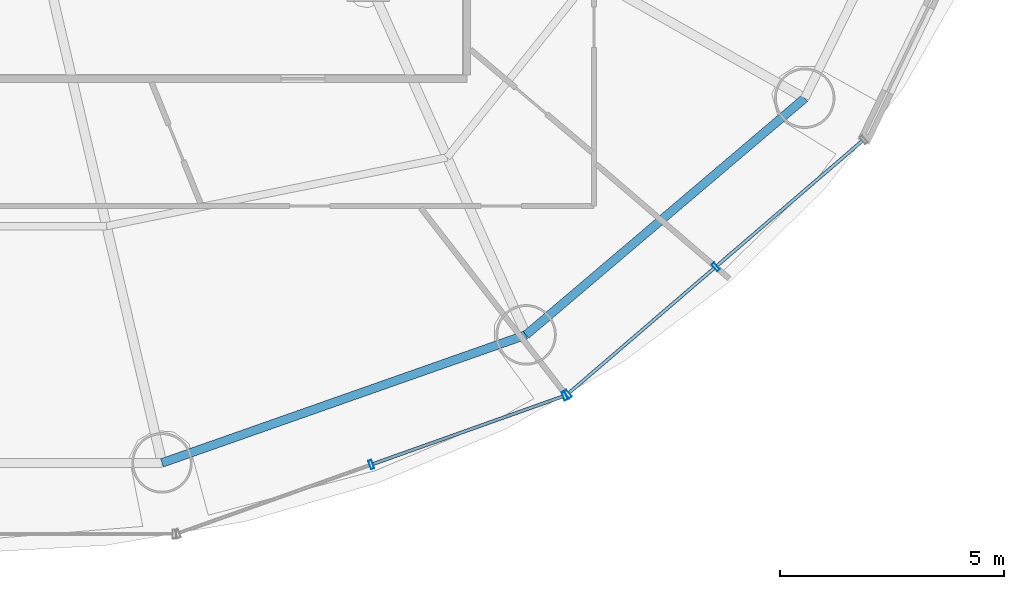
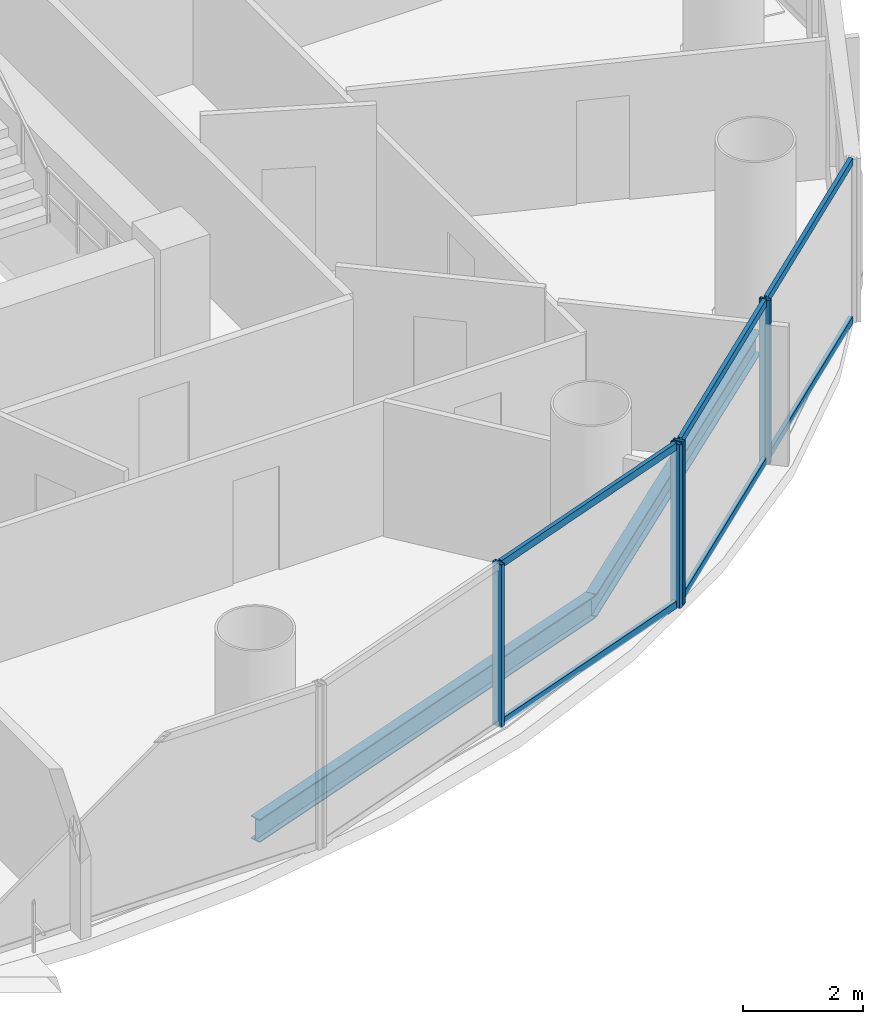
# One storey, part 9 of 27: 10 members, 2 beams, 2 elements without a shape of their own.
"""IFC4 building model written with IfcOpenShell, lengths in metres."""

import ifcopenshell
import ifcopenshell.guid

model = None  # the IFC model being written
_history = None  # IfcOwnerHistory: only IFC2X3 demands one
_inside = {}  # id of a spatial element -> (the spatial element, [elements in it])
_under = {}  # id of a project, library or spatial element -> (it, [spatial elements below it])
_declared = {}  # id of a project -> (the project, [libraries it declares])
_typed = {}  # id of a type object -> (the type object, [elements of that type])
_made_of = {}  # id of a material, layer set ... -> (it, [elements and type objects made of it])


def new_model(schema):
    """Start an empty IFC model of exactly this schema.

    Asked for "IFC4X3", IfcOpenShell would pick the latest addendum, in which some entities
    have other attributes; the version numbers below select the first issue.
    IFC2X3 requires an IfcOwnerHistory on every rooted entity: one is made here for all.
    """
    global model, _history
    if schema == "IFC4X3":
        model = ifcopenshell.file(schema_version=(4, 3, 0, 0))
    else:
        model = ifcopenshell.file(schema=schema)
    _inside.clear()
    _under.clear()
    _declared.clear()
    _typed.clear()
    _made_of.clear()
    _history = None
    if model.schema == "IFC2X3":
        org = make("IfcOrganization", Name="unknown")
        user = make(
            "IfcPersonAndOrganization",
            ThePerson=make("IfcPerson", FamilyName="unknown"),
            TheOrganization=org,
        )
        app = make(
            "IfcApplication",
            ApplicationDeveloper=org,
            Version="unknown",
            ApplicationFullName="unknown",
            ApplicationIdentifier="unknown",
        )
        _history = make(
            "IfcOwnerHistory",
            OwningUser=user,
            OwningApplication=app,
            ChangeAction="ADDED",
            CreationDate=0,
        )
    return model


def make(cls, **values):
    """One entity of the class cls with the attributes given. An attribute that is None is left unset."""
    return model.create_entity(
        cls, **{name: value for name, value in values.items() if value is not None}
    )


def rooted(cls, **values):
    """An entity with a GlobalId (a new one), such as an element, a storey or a relation."""
    return make(cls, GlobalId=ifcopenshell.guid.new(), OwnerHistory=_history, **values)


def si_unit(unit_type, name, prefix=None):
    """IfcSIUnit, for example si_unit("LENGTHUNIT", "METRE", prefix="MILLI")."""
    return make("IfcSIUnit", UnitType=unit_type, Prefix=prefix, Name=name)


def assignment(units):
    """IfcUnitAssignment: the units of a project."""
    return None if units is None else make("IfcUnitAssignment", Units=units)


def point(xyz):
    """IfcCartesianPoint."""
    return None if xyz is None else make("IfcCartesianPoint", Coordinates=xyz)


def direction(xyz):
    """IfcDirection."""
    return None if xyz is None else make("IfcDirection", DirectionRatios=xyz)


def frame(location, z_axis=None, x_axis=None):
    """IfcAxis2Placement3D, a coordinate frame: its origin and axes. An axis left out is left unset."""
    return make(
        "IfcAxis2Placement3D",
        Location=point(location),
        Axis=direction(z_axis),
        RefDirection=direction(x_axis),
    )


def frame_2d(location, x_axis=None):
    """IfcAxis2Placement2D, a coordinate frame in the plane: its origin and x axis."""
    return make(
        "IfcAxis2Placement2D", Location=point(location), RefDirection=direction(x_axis)
    )


def origin():
    """The frame at (0, 0, 0) with its axes left unset."""
    return frame((0.0, 0.0, 0.0))


def origin_2d():
    """The frame at (0, 0) in the plane with its x axis left unset."""
    return frame_2d((0.0, 0.0))


def place(relative_to, where):
    """IfcLocalPlacement: puts the frame where relative to a parent placement (None: the world)."""
    return make(
        "IfcLocalPlacement", PlacementRelTo=relative_to, RelativePlacement=where
    )


def context(
    kind, dimensions, precision=None, world=None, true_north=None, identifier=None
):
    """IfcGeometricRepresentationContext, for example the 3D "Model" context."""
    return make(
        "IfcGeometricRepresentationContext",
        ContextIdentifier=identifier,
        ContextType=kind,
        CoordinateSpaceDimension=dimensions,
        Precision=precision,
        WorldCoordinateSystem=world,
        TrueNorth=true_north,
    )


def subcontext(parent, identifier, kind, view, scale=None):
    """IfcGeometricRepresentationSubContext, for example "Body" below "Model"."""
    return make(
        "IfcGeometricRepresentationSubContext",
        ContextIdentifier=identifier,
        ContextType=kind,
        ParentContext=parent,
        TargetScale=scale,
        TargetView=view,
    )


def project(units=None, contexts=None):
    """IfcProject with its units and contexts."""
    return rooted(
        "IfcProject",
        Name="project",
        RepresentationContexts=contexts,
        UnitsInContext=assignment(units),
    )


def spatial(cls, under=None, at=None, **own):
    """A site, building, storey or space (cls), placed at a placement, below another one or the project."""
    s = rooted(cls, ObjectPlacement=at, **own)
    if under is not None:
        _under.setdefault(under.id(), (under, []))[1].append(s)
    return s


def profile(cls, at=None, kind="AREA", **sizes):
    """A parametric profile (cls). Its sizes go by their IFC names, for example OverallWidth=200.0."""
    return make(cls, ProfileType=kind, Position=at, **sizes)


def hollow_rectangle(**sizes):
    """IfcRectangleHollowProfileDef."""
    return profile("IfcRectangleHollowProfileDef", **sizes)


def i_section(**sizes):
    """IfcIShapeProfileDef."""
    return profile("IfcIShapeProfileDef", **sizes)


def extrude(swept, where, along, depth):
    """IfcExtrudedAreaSolid: the profile swept, set in the frame where, extruded along a direction by depth."""
    return make(
        "IfcExtrudedAreaSolid",
        SweptArea=swept,
        Position=where,
        ExtrudedDirection=direction(along),
        Depth=depth,
    )


def shape(context_of_items, identifier, shape_type, items):
    """IfcShapeRepresentation: the items that make up one representation, for example the "Body"."""
    return make(
        "IfcShapeRepresentation",
        ContextOfItems=context_of_items,
        RepresentationIdentifier=identifier,
        RepresentationType=shape_type,
        Items=items,
    )


def source(mapping_origin, context_of_items, identifier, shape_type, items):
    """IfcRepresentationMap: a shape defined once, which mapped items show again and again."""
    return make(
        "IfcRepresentationMap",
        MappingOrigin=mapping_origin,
        MappedRepresentation=shape(context_of_items, identifier, shape_type, items),
    )


def transform(
    local_origin,
    x_axis=None,
    y_axis=None,
    z_axis=None,
    scale=None,
    scale2=None,
    scale3=None,
    uniform=True,
):
    """IfcCartesianTransformationOperator3D, or its non-uniform kind. x_axis, y_axis, z_axis: its Axis1, 2, 3."""
    if uniform:
        return make(
            "IfcCartesianTransformationOperator3D",
            Axis1=direction(x_axis),
            Axis2=direction(y_axis),
            LocalOrigin=point(local_origin),
            Scale=scale,
            Axis3=direction(z_axis),
        )
    return make(
        "IfcCartesianTransformationOperator3DnonUniform",
        Axis1=direction(x_axis),
        Axis2=direction(y_axis),
        LocalOrigin=point(local_origin),
        Scale=scale,
        Axis3=direction(z_axis),
        Scale2=scale2,
        Scale3=scale3,
    )


def mapped(mapping_source, mapping_target):
    """IfcMappedItem: shows the shape of a source again, moved by a transform."""
    return make(
        "IfcMappedItem", MappingSource=mapping_source, MappingTarget=mapping_target
    )


def material(Name=None, Category=None):
    """IfcMaterial."""
    return make("IfcMaterial", Name=Name, Category=Category)


def material_profile(
    of_material, cross_section, Name=None, Category=None, Priority=None
):
    """IfcMaterialProfile: a cross section and its material."""
    return make(
        "IfcMaterialProfile",
        Name=Name,
        Material=of_material,
        Profile=cross_section,
        Priority=Priority,
        Category=Category,
    )


def profile_set(profiles, Name=None, composite=None):
    """IfcMaterialProfileSet."""
    return make(
        "IfcMaterialProfileSet",
        Name=Name,
        MaterialProfiles=profiles,
        CompositeProfile=composite,
    )


def made_of(thing, what):
    """Note that an element or type object is made of a material, layer set ...; save() writes the relation."""
    if what is not None:
        _made_of.setdefault(what.id(), (what, []))[1].append(thing)
    return thing


def type_object(cls, material=None, **own):
    """A type object (cls), such as IfcWallType, which elements share."""
    return made_of(rooted(cls, **own), material)


def element(
    cls,
    number,
    at=None,
    inside=None,
    cuts=None,
    type_object=None,
    material=None,
    context=None,
    identifier="Body",
    shape_type=None,
    held_by="IfcProductDefinitionShape",
    body=None,
    shapes=None,
    **own,
):
    """One element of the class cls, such as IfcWall. Its Tag is "e" and its number.

    at: its placement. inside: the storey or other place that contains it. cuts: it is an
    opening in that element (IfcRelVoidsElement). A single representation is given by context,
    identifier, shape_type and body (its items); several are given by shapes. held_by: the class
    of the entity that holds the representations. save() writes the other relations.
    """
    e = rooted(cls, Tag="e%d" % number, ObjectPlacement=at, **own)
    if body is not None:
        shapes = [shape(context, identifier, shape_type, body)]
    if shapes is not None:
        e.Representation = make(held_by, Representations=shapes)
    if inside is not None:
        _inside.setdefault(inside.id(), (inside, []))[1].append(e)
    if cuts is not None:
        rooted(
            "IfcRelVoidsElement", RelatingBuildingElement=cuts, RelatedOpeningElement=e
        )
    if type_object is not None:
        _typed.setdefault(type_object.id(), (type_object, []))[1].append(e)
    return made_of(e, material)


def aggregate(whole, parts):
    """IfcRelAggregates: a whole, such as a stair, and the parts it consists of."""
    return rooted("IfcRelAggregates", RelatingObject=whole, RelatedObjects=parts)


def save(model, path):
    """Write the relations noted so far, then the file.

    IfcRelAggregates (storeys below a building ...), IfcRelContainedInSpatialStructure (elements
    in a storey), IfcRelDefinesByType, IfcRelAssociatesMaterial and IfcRelDeclares: one each for
    every whole, place, type object, material and project.
    """
    for whole, parts in _under.values():
        aggregate(whole, parts)
    for where, things in _inside.values():
        rooted(
            "IfcRelContainedInSpatialStructure",
            RelatedElements=things,
            RelatingStructure=where,
        )
    for kind, things in _typed.values():
        rooted("IfcRelDefinesByType", RelatedObjects=things, RelatingType=kind)
    for what, things in _made_of.values():
        rooted("IfcRelAssociatesMaterial", RelatedObjects=things, RelatingMaterial=what)
    for by, libraries in _declared.values():
        rooted("IfcRelDeclares", RelatingContext=by, RelatedDefinitions=libraries)
    model.write(path)


model = new_model("IFC4")

# Units and contexts
model_context = context("Model", 3, precision=1e-05, world=origin(), true_north=direction((-0.2419218956, 0.970295726276)))
body_context = subcontext(model_context, "Body", "Model", "MODEL_VIEW")
ifc_project = project(units=[si_unit("LENGTHUNIT", "METRE"), si_unit("AREAUNIT", "SQUARE_METRE"), si_unit("VOLUMEUNIT", "CUBIC_METRE"), si_unit("PLANEANGLEUNIT", "RADIAN"), si_unit("MASSUNIT", "GRAM", prefix="KILO")], contexts=[model_context])

# Site, building, storey
site_placement = place(None, origin())
site = spatial("IfcSite", under=ifc_project, at=site_placement, CompositionType="ELEMENT")
building_placement = place(site_placement, origin())
building = spatial("IfcBuilding", under=site, at=building_placement, Name="Cobrevalo Terracotta Tower", CompositionType="ELEMENT")
storey_placement = place(building_placement, frame((0.0, 0.0, 157.0)))
storey = spatial("IfcBuildingStorey", under=building, at=storey_placement, Name="L41", CompositionType="ELEMENT", Elevation=157.0)

# Beams
ifc_material_1 = material(Name="Steel S355", Category="steel")
ifc_material_profile_1 = material_profile(ifc_material_1, i_section(OverallWidth=0.194091796875, OverallDepth=0.468994140625, WebThickness=0.011474609375, FlangeThickness=0.0205078125, at=origin_2d()), Name="W 460x106")
ifc_profile_set_1 = profile_set([ifc_material_profile_1], Name="Steel S355")
beam_type = type_object("IfcBeamType", Name="Structural Spandrel W 460x106 (Steel S355)", PredefinedType="SPANDREL", material=ifc_profile_set_1)
beam_1_placement = place(storey_placement, frame((42.399169921875, 8.01806640625, -0.50439453125), z_axis=(0.943341298492, 0.331824041565, 0.0), x_axis=(-0.331824041565, 0.943341298492, 0.0)))
element("IfcBeam", 1, at=beam_1_placement, inside=storey, type_object=beam_type, Name="L41 perimeter ring spandrel 13", PredefinedType="SPANDREL", context=body_context, shape_type="SweptSolid", body=[
    extrude(i_section(OverallWidth=0.194091796875, OverallDepth=0.468994140625, WebThickness=0.011474609375, FlangeThickness=0.0205078125, at=origin_2d()), origin(), (0.0, 0.0, 1.0), 8.6171875),
])
beam_2_placement = place(storey_placement, frame((50.528076171875, 10.87744140625, -0.50439453125), z_axis=(0.762240337798, 0.647294112003, 0.0), x_axis=(-0.647294112003, 0.762240337798, 0.0)))
element("IfcBeam", 2, at=beam_2_placement, inside=storey, type_object=beam_type, Name="L41 perimeter ring spandrel 14", PredefinedType="SPANDREL", context=body_context, shape_type="SweptSolid", body=[
    extrude(i_section(OverallWidth=0.194091796875, OverallDepth=0.468994140625, WebThickness=0.011474609375, FlangeThickness=0.0205078125, at=origin_2d()), origin(), (0.0, 0.0, 1.0), 8.162353515625),
])

# Curtain wall, members
ifc_material_2 = material(Name="Anodized aluminium", Category="aluminium")
curtain_wall_type = type_object("IfcCurtainWallType", Name="Mid-tower high-wind unitised curtain wall CW-U2", PredefinedType="NOTDEFINED", material=ifc_material_2)
curtain_wall_1_placement = place(storey_placement, origin())
curtain_wall_1 = element("IfcCurtainWall", 3, at=curtain_wall_1_placement, inside=storey, type_object=curtain_wall_type, Name="L41 curtain wall CW-L41-S13", PredefinedType="NOTDEFINED")
ifc_material_profile_2 = material_profile(ifc_material_2, hollow_rectangle(XDim=0.074951171875, YDim=0.199951171875, WallThickness=0.0048828125, at=origin_2d()), Name="CWM 75x200")
ifc_profile_set_2 = profile_set([ifc_material_profile_2], Name="Anodized aluminium")
member_type_1 = type_object("IfcMemberType", Name="Lower/mid tower unitised mullion 75x200", PredefinedType="MULLION", material=ifc_profile_set_2)
shared_shape_1 = source(origin(), body_context, "Body", "SweptSolid", [
    extrude(hollow_rectangle(XDim=0.074951171875, YDim=0.199951171875, WallThickness=0.0048828125, at=origin_2d()), origin(), (0.0, 0.0, 1.0), 3.330078125),
])
member_1_placement = place(storey_placement, frame((47.07177734375, 7.979736328125, 0.0), z_axis=(0.0, 0.0, 1.0), x_axis=(0.942098428897, 0.335336473217, 0.0)))
member_1 = element("IfcMember", 4, at=member_1_placement, type_object=member_type_1, Name="CW-L41-S13 vertical mullion 02", PredefinedType="MULLION", context=body_context, shape_type="MappedRepresentation", body=[
    mapped(shared_shape_1, transform((0.0, 0.0, 0.0), scale=1.0)),
])
member_2_placement = place(storey_placement, frame((51.390380859375, 9.516845703125, 0.0), z_axis=(0.0, 0.0, 1.0), x_axis=(0.942098428897, 0.335336473217, 0.0)))
member_2 = element("IfcMember", 5, at=member_2_placement, type_object=member_type_1, Name="CW-L41-S13 vertical mullion 03", PredefinedType="MULLION", context=body_context, shape_type="MappedRepresentation", body=[
    mapped(shared_shape_1, transform((0.0, 0.0, 0.0), scale=1.0)),
])

curtain_wall_2_placement = place(storey_placement, origin())
curtain_wall_2 = element("IfcCurtainWall", 6, at=curtain_wall_2_placement, inside=storey, type_object=curtain_wall_type, Name="L41 curtain wall CW-L41-S14", PredefinedType="NOTDEFINED")
member_3_placement = place(storey_placement, frame((51.45849609375, 9.556396484375, 0.0), z_axis=(0.0, 0.0, 1.0), x_axis=(0.758441546142, 0.65174106905, 0.0)))
member_3 = element("IfcMember", 7, at=member_3_placement, type_object=member_type_1, Name="CW-L41-S14 vertical mullion 01", PredefinedType="MULLION", context=body_context, shape_type="MappedRepresentation", body=[
    mapped(shared_shape_1, transform((0.0, 0.0, 0.0), scale=1.0)),
])
member_4_placement = place(storey_placement, frame((54.762451171875, 12.3955078125, 0.0), z_axis=(0.0, 0.0, 1.0), x_axis=(0.758441546142, 0.65174106905, 0.0)))
member_4 = element("IfcMember", 8, at=member_4_placement, type_object=member_type_1, Name="CW-L41-S14 vertical mullion 02", PredefinedType="MULLION", context=body_context, shape_type="MappedRepresentation", body=[
    mapped(shared_shape_1, transform((0.0, 0.0, 0.0), scale=1.0)),
])
ifc_material_profile_3 = material_profile(ifc_material_2, hollow_rectangle(XDim=0.074951171875, YDim=0.14990234375, WallThickness=0.00439453125, at=origin_2d()), Name="CWT 75x150")
ifc_profile_set_3 = profile_set([ifc_material_profile_3], Name="Anodized aluminium")
member_type_2 = type_object("IfcMemberType", Name="Tower unitised aluminium transom 75x150", PredefinedType="USERDEFINED", material=ifc_profile_set_3)
shared_shape_2 = source(origin(), body_context, "Body", "SweptSolid", [
    extrude(hollow_rectangle(XDim=0.074951171875, YDim=0.14990234375, WallThickness=0.00439453125, at=origin_2d()), origin(), (0.0, 0.0, 1.0), 4.276123046875),
])
member_5_placement = place(storey_placement, frame((51.48876953125, 9.58251953125, 0.050048828125), z_axis=(0.758417719247, 0.651768795764, 0.0), x_axis=(-0.651768795764, 0.758417719247, 0.0)))
member_5 = element("IfcMember", 9, at=member_5_placement, type_object=member_type_2, Name="CW-L41-S14 transom B01-T1", ObjectType="TRANSOM", PredefinedType="USERDEFINED", context=body_context, shape_type="MappedRepresentation", body=[
    mapped(shared_shape_2, transform((0.0, 0.0, 0.0), scale=1.0)),
])
member_6_placement = place(storey_placement, frame((51.48876953125, 9.58251953125, 3.280029296875), z_axis=(0.758417719247, 0.651768795764, 0.0), x_axis=(-0.651768795764, 0.758417719247, 0.0)))
member_6 = element("IfcMember", 10, at=member_6_placement, type_object=member_type_2, Name="CW-L41-S14 transom B01-T2", ObjectType="TRANSOM", PredefinedType="USERDEFINED", context=body_context, shape_type="MappedRepresentation", body=[
    mapped(shared_shape_2, transform((0.0, 0.0, 0.0), scale=1.0)),
])
member_7_placement = place(storey_placement, frame((54.792724609375, 12.421630859375, 0.050048828125), z_axis=(0.758417719247, 0.651768795764, 0.0), x_axis=(-0.651768795764, 0.758417719247, 0.0)))
member_7 = element("IfcMember", 11, at=member_7_placement, type_object=member_type_2, Name="CW-L41-S14 transom B02-T1", ObjectType="TRANSOM", PredefinedType="USERDEFINED", context=body_context, shape_type="MappedRepresentation", body=[
    mapped(shared_shape_2, transform((0.0, 0.0, 0.0), scale=1.0)),
])
member_8_placement = place(storey_placement, frame((54.792724609375, 12.421630859375, 3.280029296875), z_axis=(0.758417719247, 0.651768795764, 0.0), x_axis=(-0.651768795764, 0.758417719247, 0.0)))
member_8 = element("IfcMember", 12, at=member_8_placement, type_object=member_type_2, Name="CW-L41-S14 transom B02-T2", ObjectType="TRANSOM", PredefinedType="USERDEFINED", context=body_context, shape_type="MappedRepresentation", body=[
    mapped(shared_shape_2, transform((0.0, 0.0, 0.0), scale=1.0)),
])
aggregate(curtain_wall_2, [member_3, member_4, member_5, member_6, member_7, member_8])

# Member
shared_shape_3 = source(origin(), body_context, "Body", "SweptSolid", [
    extrude(hollow_rectangle(XDim=0.074951171875, YDim=0.14990234375, WallThickness=0.00439453125, at=origin_2d()), origin(), (0.0, 0.0, 1.0), 4.504150390625),
])
member_9_placement = place(storey_placement, frame((47.109375, 7.9931640625, 0.050048828125), z_axis=(0.942093344241, 0.335350757771, 0.0), x_axis=(-0.335350757771, 0.942093344241, 0.0)))
member_9 = element("IfcMember", 13, at=member_9_placement, type_object=member_type_2, Name="CW-L41-S13 transom B02-T1", ObjectType="TRANSOM", PredefinedType="USERDEFINED", context=body_context, shape_type="MappedRepresentation", body=[
    mapped(shared_shape_3, transform((0.0, 0.0, 0.0), scale=1.0)),
])

member_10_placement = place(storey_placement, frame((47.109375, 7.9931640625, 3.280029296875), z_axis=(0.942093344241, 0.335350757771, 0.0), x_axis=(-0.335350757771, 0.942093344241, 0.0)))
member_10 = element("IfcMember", 14, at=member_10_placement, type_object=member_type_2, Name="CW-L41-S13 transom B02-T2", ObjectType="TRANSOM", PredefinedType="USERDEFINED", context=body_context, shape_type="MappedRepresentation", body=[
    mapped(shared_shape_3, transform((0.0, 0.0, 0.0), scale=1.0)),
])

aggregate(curtain_wall_1, [member_1, member_2, member_9, member_10])

save(model, "model.ifc")
